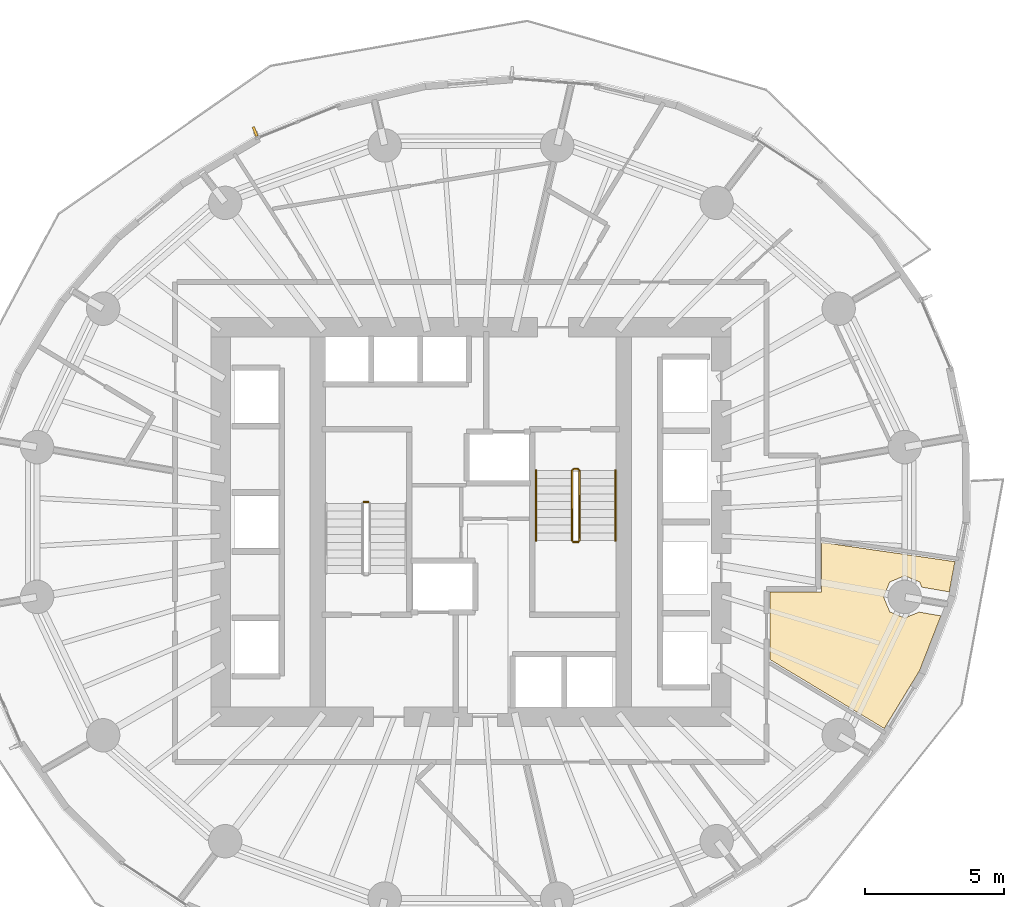
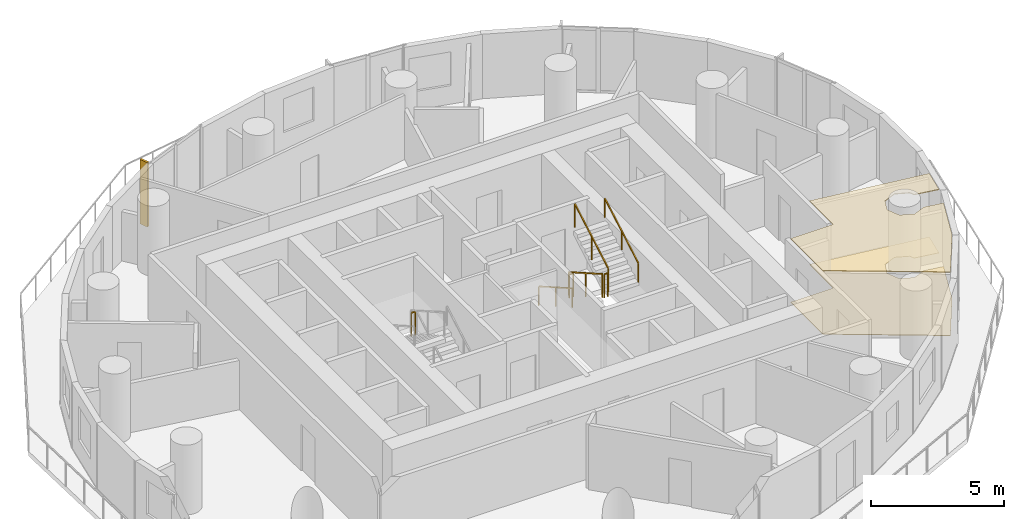
# One storey, part 13 of 14: 7 railings, 2 coverings, 1 shading device.
"""IFC4 building model written with IfcOpenShell, lengths in metres."""

from ifc_helpers import new_model, si_unit, direction, frame, origin, origin_2d, place, context, subcontext, project, spatial, polyline, rectangle, outline, extrude, material, layer, layer_set, type_object, element, save


model = new_model("IFC4")

# Units and contexts
model_context = context("Model", 3, precision=1e-05, world=origin(), true_north=direction((0.0, 1.0)))
body_context = subcontext(model_context, "Body", "Model", "MODEL_VIEW")
ifc_project = project(units=[si_unit("LENGTHUNIT", "METRE"), si_unit("AREAUNIT", "SQUARE_METRE"), si_unit("VOLUMEUNIT", "CUBIC_METRE"), si_unit("PLANEANGLEUNIT", "RADIAN"), si_unit("MASSUNIT", "GRAM", prefix="KILO")], contexts=[model_context])

# Site, building, storey
site_placement = place(None, origin())
site = spatial("IfcSite", under=ifc_project, at=site_placement, CompositionType="ELEMENT")
building_placement = place(site_placement, origin())
building = spatial("IfcBuilding", under=site, at=building_placement, Name="Veldorim Arch Residences", CompositionType="ELEMENT")
storey_placement = place(building_placement, frame((0.0, 0.0, 77.280029296875)))
storey = spatial("IfcBuildingStorey", under=building, at=storey_placement, Name="L22", CompositionType="ELEMENT", Elevation=77.280029296875)

# Railings
ifc_material_1 = material(Name="Steel S355", Category="steel")
railing_type_1 = type_object("IfcRailingType", Name="Galvanised Steel Stair Safety Guardrail 1100", PredefinedType="GUARDRAIL", material=ifc_material_1)
railing_1_placement = place(storey_placement, frame((28.31005859375, 24.719970703125, 1.599853515625)))
element("IfcRailing", 1, at=railing_1_placement, inside=storey, type_object=railing_type_1, Name="L22 ST-1 stair guard 2", PredefinedType="GUARDRAIL", context=body_context, shape_type="SweptSolid", body=[
    extrude(rectangle(XDim=0.048095703125, YDim=0.048095703125, at=origin_2d()), frame((0.0, 0.0, 1.076171875), z_axis=(-1.0, 0.0, 0.0), x_axis=(0.0, -1.0, 0.0)), (0.0, 0.0, 1.0), 0.16015625),
    extrude(rectangle(XDim=0.0419921875, YDim=0.0419921875, at=origin_2d()), origin(), (0.0, 0.0, 1.0), 1.052001953125),
    extrude(rectangle(XDim=0.0419921875, YDim=0.0419921875, at=origin_2d()), frame((-0.16015625, 0.0, 0.0)), (0.0, 0.0, 1.0), 1.052001953125),
])
railing_2_placement = place(storey_placement, frame((35.639892578125, 25.85009765625, 0.159912109375)))
element("IfcRailing", 2, at=railing_2_placement, inside=storey, type_object=railing_type_1, Name="L22 ST-2 stair guard 1", PredefinedType="GUARDRAIL", context=body_context, shape_type="SweptSolid", body=[
    extrude(rectangle(XDim=0.048095703125, YDim=0.048095703125, at=origin_2d()), frame((0.0, 0.0, 1.076171875), z_axis=(0.0, -0.868253494771, 0.496120820787), x_axis=(1.0, 0.0, 0.0)), (0.0, 0.0, 1.0), 2.90234375),
    extrude(rectangle(XDim=0.0419921875, YDim=0.0419921875, at=origin_2d()), origin(), (0.0, 0.0, 1.0), 1.052001953125),
    extrude(rectangle(XDim=0.0419921875, YDim=0.0419921875, at=origin_2d()), frame((0.0, -1.260009765625, 0.719970703125)), (0.0, 0.0, 1.0), 1.052001953125),
    extrude(rectangle(XDim=0.0419921875, YDim=0.0419921875, at=origin_2d()), frame((0.0, -2.52001953125, 1.43994140625)), (0.0, 0.0, 1.0), 1.052001953125),
])
railing_3_placement = place(storey_placement, frame((35.68994140625, 23.280029296875, 1.599853515625)))
element("IfcRailing", 3, at=railing_3_placement, inside=storey, type_object=railing_type_1, Name="L22 ST-2 stair guard 2", PredefinedType="GUARDRAIL", context=body_context, shape_type="SweptSolid", body=[
    extrude(rectangle(XDim=0.048095703125, YDim=0.048095703125, at=origin_2d()), frame((0.0, 0.0, 1.076171875), z_axis=(1.0, 0.0, 0.0), x_axis=(0.0, 1.0, 0.0)), (0.0, 0.0, 1.0), 0.16015625),
    extrude(rectangle(XDim=0.0419921875, YDim=0.0419921875, at=origin_2d()), origin(), (0.0, 0.0, 1.0), 1.052001953125),
    extrude(rectangle(XDim=0.0419921875, YDim=0.0419921875, at=origin_2d()), frame((0.16015625, 0.0, 0.0)), (0.0, 0.0, 1.0), 1.052001953125),
])
railing_4_placement = place(storey_placement, frame((35.89990234375, 23.330078125, 1.760009765625)))
element("IfcRailing", 4, at=railing_4_placement, inside=storey, type_object=railing_type_1, Name="L22 ST-2 stair guard 3", PredefinedType="GUARDRAIL", context=body_context, shape_type="SweptSolid", body=[
    extrude(rectangle(XDim=0.048095703125, YDim=0.048095703125, at=origin_2d()), frame((0.0, 0.0, 1.076171875), z_axis=(0.0, 0.868253494771, 0.496120820787), x_axis=(-1.0, 0.0, 0.0)), (0.0, 0.0, 1.0), 2.90234375),
    extrude(rectangle(XDim=0.0419921875, YDim=0.0419921875, at=origin_2d()), origin(), (0.0, 0.0, 1.0), 1.052001953125),
    extrude(rectangle(XDim=0.0419921875, YDim=0.0419921875, at=origin_2d()), frame((0.0, 1.260009765625, 0.719970703125)), (0.0, 0.0, 1.0), 1.052001953125),
    extrude(rectangle(XDim=0.0419921875, YDim=0.0419921875, at=origin_2d()), frame((0.0, 2.52001953125, 1.43994140625)), (0.0, 0.0, 1.0), 1.052001953125),
])
railing_5_placement = place(storey_placement, frame((35.68994140625, 25.89990234375, 0.0)))
element("IfcRailing", 5, at=railing_5_placement, inside=storey, type_object=railing_type_1, Name="L22 ST-2 stair guard 4", PredefinedType="GUARDRAIL", context=body_context, shape_type="SweptSolid", body=[
    extrude(rectangle(XDim=0.048095703125, YDim=0.048095703125, at=origin_2d()), frame((0.0, 0.0, 1.076171875), z_axis=(1.0, 0.0, 0.0), x_axis=(0.0, 1.0, 0.0)), (0.0, 0.0, 1.0), 0.16015625),
    extrude(rectangle(XDim=0.0419921875, YDim=0.0419921875, at=origin_2d()), origin(), (0.0, 0.0, 1.0), 1.052001953125),
    extrude(rectangle(XDim=0.0419921875, YDim=0.0419921875, at=origin_2d()), frame((0.16015625, 0.0, 0.0)), (0.0, 0.0, 1.0), 1.052001953125),
])

# Coverings
ifc_material_2 = material(Name="Acoustic Gypsum & Mineral Fibre", Category="gypsum")
ifc_layer_1 = layer(ifc_material_2, 0.034912109375, Name="Perforated Acoustic Mineral-Fibre Ceiling 35")
ifc_layer_set_1 = layer_set([ifc_layer_1], Name="Acoustic Gypsum & Mineral Fibre")
covering_type_1 = type_object("IfcCoveringType", Name="Perforated Acoustic Mineral-Fibre Ceiling 35", PredefinedType="CEILING", material=ifc_layer_set_1)
covering_1_placement = place(storey_placement, frame((0.0, 0.0, 2.905029296875)))
element("IfcCovering", 6, at=covering_1_placement, inside=storey, type_object=covering_type_1, Name="L22 acoustic suspended ceiling 02", PredefinedType="CEILING", context=body_context, shape_type="SweptSolid", body=[
    extrude(outline(polyline([(48.89404296875, 20.626708984375), (48.130126953125, 18.662109375), (46.858154296875, 16.578125), (42.75, 19.056396484375), (42.75, 21.47998046875), (44.60009765625, 21.47998046875), (44.60009765625, 23.26953125), (49.3984375, 22.57568359375), (49.195068359375, 21.48828125), (48.209228515625, 21.658203125), (48.1318359375, 21.84521484375), (47.594482421875, 22.067626953125), (47.05712890625, 21.84521484375), (46.834716796875, 21.307861328125), (47.05712890625, 20.7705078125), (47.594482421875, 20.5478515625), (48.111083984375, 20.761962890625), (48.89404296875, 20.626708984375)])), origin(), (0.0, 0.0, 1.0), 0.034912109375),
])
ifc_material_3 = material(Name="Porcelain Ceramic Tile", Category="ceramic")
ifc_layer_2 = layer(ifc_material_3, 0.02001953125, Name="Slip-Resistant Porcelain & Vinyl Floor Finish 20")
ifc_layer_set_2 = layer_set([ifc_layer_2], Name="Porcelain Ceramic Tile")
covering_type_2 = type_object("IfcCoveringType", Name="Slip-Resistant Porcelain & Vinyl Floor Finish 20", PredefinedType="FLOORING", material=ifc_layer_set_2)
covering_2_placement = place(storey_placement, origin())
element("IfcCovering", 7, at=covering_2_placement, inside=storey, type_object=covering_type_2, Name="L22 porcelain floor finish 02", PredefinedType="FLOORING", context=body_context, shape_type="SweptSolid", body=[
    extrude(outline(polyline([(48.89404296875, 20.626708984375), (48.130126953125, 18.662109375), (46.858154296875, 16.578125), (42.75, 19.056396484375), (42.75, 21.47998046875), (44.60009765625, 21.47998046875), (44.60009765625, 23.26953125), (49.3984375, 22.57568359375), (49.195068359375, 21.48828125), (48.209228515625, 21.658203125), (48.1318359375, 21.84521484375), (47.594482421875, 22.067626953125), (47.05712890625, 21.84521484375), (46.834716796875, 21.307861328125), (47.05712890625, 20.7705078125), (47.594482421875, 20.5478515625), (48.111083984375, 20.761962890625), (48.89404296875, 20.626708984375)])), origin(), (0.0, 0.0, 1.0), 0.02001953125),
])

# Railings
ifc_material_4 = material(Name="Stainless Steel", Category="steel")
railing_type_2 = type_object("IfcRailingType", Name="Tubular Steel Continuous Wall Handrail 900", PredefinedType="HANDRAIL", material=ifc_material_4)
railing_6_placement = place(storey_placement, frame((34.340087890625, 25.85009765625, 0.159912109375)))
element("IfcRailing", 8, at=railing_6_placement, inside=storey, type_object=railing_type_2, Name="L22 ST-2 stair handrail 1", PredefinedType="HANDRAIL", context=body_context, shape_type="SweptSolid", body=[
    extrude(rectangle(XDim=0.048095703125, YDim=0.048095703125, at=origin_2d()), frame((0.0, 0.0, 0.8759765625), z_axis=(0.0, -0.868253494771, 0.496120820787), x_axis=(1.0, 0.0, 0.0)), (0.0, 0.0, 1.0), 2.90234375),
    extrude(rectangle(XDim=0.0419921875, YDim=0.0419921875, at=origin_2d()), origin(), (0.0, 0.0, 1.0), 0.851806640625),
    extrude(rectangle(XDim=0.0419921875, YDim=0.0419921875, at=origin_2d()), frame((0.0, -1.260009765625, 0.719970703125)), (0.0, 0.0, 1.0), 0.851806640625),
    extrude(rectangle(XDim=0.0419921875, YDim=0.0419921875, at=origin_2d()), frame((0.0, -2.52001953125, 1.43994140625)), (0.0, 0.0, 1.0), 0.851806640625),
])
railing_7_placement = place(storey_placement, frame((37.199951171875, 23.330078125, 1.760009765625)))
element("IfcRailing", 9, at=railing_7_placement, inside=storey, type_object=railing_type_2, Name="L22 ST-2 stair handrail 2", PredefinedType="HANDRAIL", context=body_context, shape_type="SweptSolid", body=[
    extrude(rectangle(XDim=0.048095703125, YDim=0.048095703125, at=origin_2d()), frame((0.0, 0.0, 0.8759765625), z_axis=(0.0, 0.868253494771, 0.496120820787), x_axis=(-1.0, 0.0, 0.0)), (0.0, 0.0, 1.0), 2.90234375),
    extrude(rectangle(XDim=0.0419921875, YDim=0.0419921875, at=origin_2d()), origin(), (0.0, 0.0, 1.0), 0.851806640625),
    extrude(rectangle(XDim=0.0419921875, YDim=0.0419921875, at=origin_2d()), frame((0.0, 1.260009765625, 0.719970703125)), (0.0, 0.0, 1.0), 0.851806640625),
    extrude(rectangle(XDim=0.0419921875, YDim=0.0419921875, at=origin_2d()), frame((0.0, 2.52001953125, 1.43994140625)), (0.0, 0.0, 1.0), 0.851806640625),
])

# Shading device
ifc_material_5 = material(Name="Terracotta Ceramic", Category="masonry")
ifc_layer_3 = layer(ifc_material_5, 0.090087890625, Name="Vertical Extruded Terracotta Baguette Sun-Shading Fin")
ifc_layer_set_3 = layer_set([ifc_layer_3], Name="Terracotta Ceramic")
shading_device_type = type_object("IfcShadingDeviceType", Name="Vertical Extruded Terracotta Baguette Sun-Shading Fin", PredefinedType="USERDEFINED", material=ifc_layer_set_3)
shading_device_placement = place(storey_placement, frame((24.240478515625, 38.0380859375, 0.0), z_axis=(0.0, 0.0, 1.0), x_axis=(0.927314560446, 0.374282922379, 0.0)))
element("IfcShadingDevice", 10, at=shading_device_placement, inside=storey, type_object=shading_device_type, Name="L22 vertical terracotta sun-shading fin 10", ObjectType="FIN", PredefinedType="USERDEFINED", context=body_context, shape_type="SweptSolid", body=[
    extrude(rectangle(XDim=0.090087890625, YDim=0.360107421875, at=origin_2d()), origin(), (0.0, 0.0, 1.0), 2.9599609375),
])

save(model, "model.ifc")
